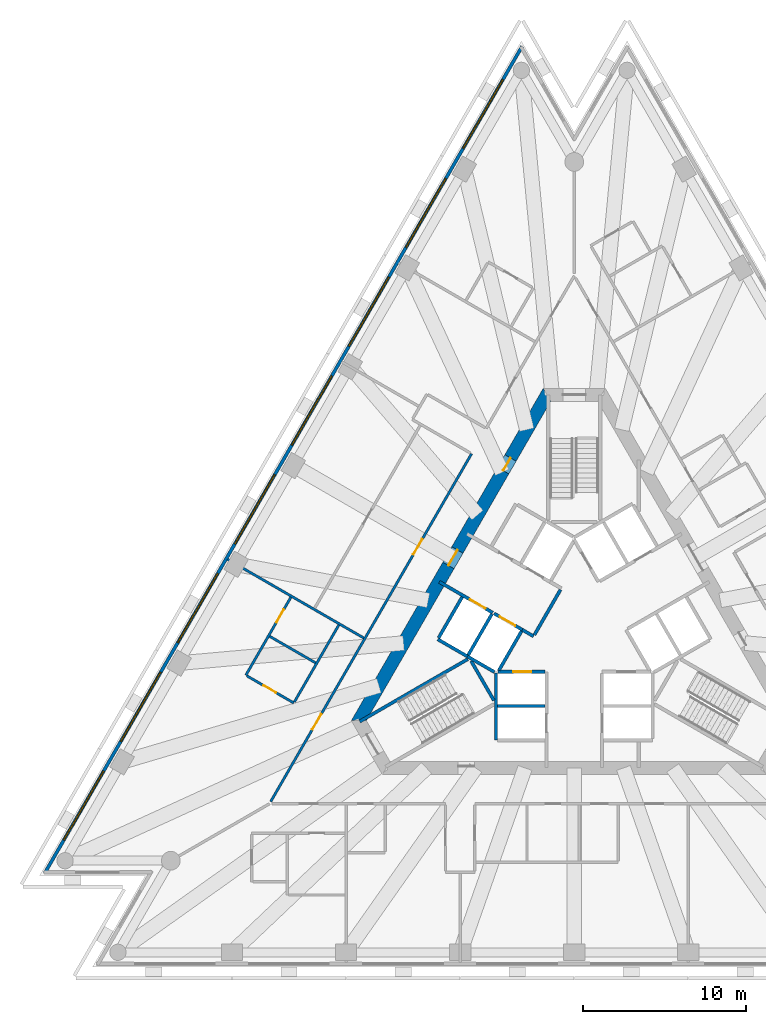
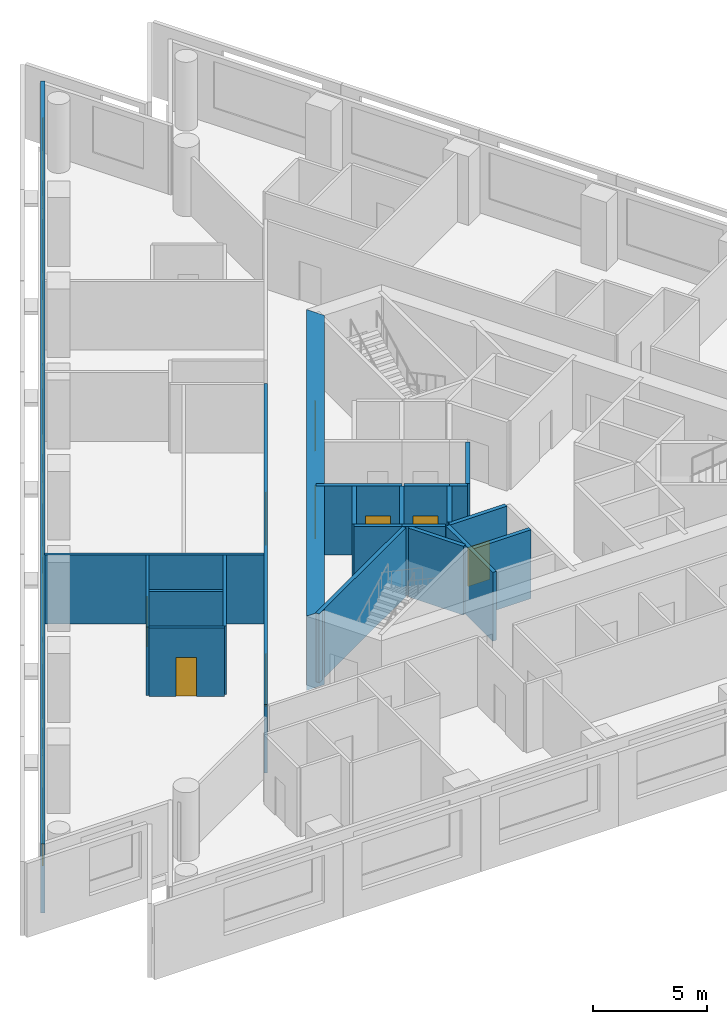
# One storey, part 4 of 10: 22 walls, 9 doors, 8 windows, 17 openings.
"""IFC4 building model written with IfcOpenShell, lengths in metres."""

from ifc_helpers import new_model, si_unit, direction, frame, frame_2d, origin, place, context, subcontext, project, spatial, polyline, rectangle, outline, extrude, material, layer, layer_set, layer_usage, type_object, element, fill, save


model = new_model("IFC4")

# Units and contexts
model_context = context("Model", 3, precision=1e-05, world=origin(), true_north=direction((0.0, 1.0)))
body_context = subcontext(model_context, "Body", "Model", "MODEL_VIEW")
ifc_project = project(units=[si_unit("LENGTHUNIT", "METRE"), si_unit("AREAUNIT", "SQUARE_METRE"), si_unit("VOLUMEUNIT", "CUBIC_METRE"), si_unit("PLANEANGLEUNIT", "RADIAN"), si_unit("MASSUNIT", "GRAM", prefix="KILO")], contexts=[model_context])

# Site, building, storey
site_placement = place(None, origin())
site = spatial("IfcSite", under=ifc_project, at=site_placement, CompositionType="ELEMENT")
building_placement = place(site_placement, origin())
building = spatial("IfcBuilding", under=site, at=building_placement, Name="Triada Interchange Tower", CompositionType="ELEMENT")
storey_placement = place(building_placement, frame((0.0, 0.0, 112.300048828125)))
storey = spatial("IfcBuildingStorey", under=building, at=storey_placement, Name="L25", CompositionType="ELEMENT", Elevation=112.300048828125)

# Walls
ifc_material_1 = material(Name="Concrete C30/37", Category="concrete")
ifc_layer_1 = layer(ifc_material_1, 0.199951171875)
ifc_layer_set_1 = layer_set([ifc_layer_1], Name="CORE WALL 200 EI 120")
wall_type_1 = type_object("IfcWallType", Name="CORE WALL 200 EI 120", PredefinedType="SOLIDWALL", material=ifc_layer_set_1)
wall_1_placement = place(storey_placement, frame((-8.3759765625, -0.70703125, 0.0), z_axis=(0.0, 0.0, 1.0), x_axis=(0.866067520717, -0.499927044236, 0.0)))
element("IfcWall", 1, at=wall_1_placement, inside=storey, type_object=wall_type_1, Name="Wall L23 64", PredefinedType="SOLIDWALL", context=body_context, shape_type="SweptSolid", body=[
    extrude(rectangle(XDim=2.100341796875, YDim=0.199951171875, at=frame_2d((1.05029296875, 0.0))), origin(), (0.0, 0.0, 1.0), 3.699951171875),
])
wall_2_placement = place(storey_placement, frame((-8.325927734375, -0.6201171875, 0.0), z_axis=(0.0, 0.0, 1.0), x_axis=(0.500023687443, 0.866011727401, 0.0)))
element("IfcWall", 2, at=wall_2_placement, inside=storey, type_object=wall_type_1, Name="Wall L23 65", PredefinedType="SOLIDWALL", context=body_context, shape_type="SweptSolid", body=[
    extrude(rectangle(XDim=2.899658203125, YDim=0.199951171875, at=frame_2d((1.44970703125, 0.0))), origin(), (0.0, 0.0, 1.0), 3.699951171875),
])
wall_3_placement = place(storey_placement, frame((-4.699951171875, -4.800048828125, 0.0), z_axis=(0.0, 0.0, 1.0), x_axis=(1.0, 0.0, 0.0)))
element("IfcWall", 3, at=wall_3_placement, inside=storey, type_object=wall_type_1, Name="Wall L23 66", PredefinedType="SOLIDWALL", context=body_context, shape_type="SweptSolid", body=[
    extrude(rectangle(XDim=2.89990234375, YDim=0.199951171875, at=frame_2d((1.449951171875, 0.0))), origin(), (0.0, 0.0, 1.0), 3.699951171875),
])
wall_4_placement = place(storey_placement, frame((-4.800048828125, -6.89990234375, 0.0), z_axis=(0.0, 0.0, 1.0), x_axis=(0.0, 1.0, 0.0)))
element("IfcWall", 4, at=wall_4_placement, inside=storey, type_object=wall_type_1, Name="Wall L23 68", PredefinedType="SOLIDWALL", context=body_context, shape_type="SweptSolid", body=[
    extrude(rectangle(XDim=4.130859375, YDim=0.199951171875, at=frame_2d((2.0654296875, 0.0))), origin(), (0.0, 0.0, 1.0), 3.699951171875),
])

# Wall, opening, door
wall_5_placement = place(storey_placement, frame((-4.676025390625, -2.699951171875, 0.0), z_axis=(0.0, 0.0, 1.0), x_axis=(1.0, 0.0, 0.0)))
wall_5 = element("IfcWall", 5, at=wall_5_placement, inside=storey, type_object=wall_type_1, Name="Wall L23 72", PredefinedType="SOLIDWALL", context=body_context, shape_type="SweptSolid", body=[
    extrude(rectangle(XDim=2.873046875, YDim=0.199951171875, at=frame_2d((1.4365234375, 0.0))), origin(), (0.0, 0.0, 1.0), 3.699951171875),
])
opening_1_placement = place(wall_5_placement, frame((0.93701171875, 0.0, 0.0)))
opening_1 = element("IfcOpeningElement", 6, at=opening_1_placement, cuts=wall_5, Name="Opening LD-LR3", PredefinedType="OPENING", context=body_context, shape_type="SweptSolid", body=[
    extrude(rectangle(XDim=1.10009765625, YDim=2.10009765625, at=frame_2d((0.550048828125, 1.050048828125))), frame((0.0, 0.10986328125, 0.0), z_axis=(0.0, -1.0, 0.0), x_axis=(1.0, 0.0, 0.0)), (0.0, 0.0, 1.0), 0.219970703125),
])
ifc_material_2 = material(Name="Steel S235 door leaf", Category="steel")
door_type_1 = type_object("IfcDoorType", Name="LIFT LANDING DOOR 1100 EI 120", OperationType="SLIDING_TO_LEFT", PredefinedType="DOOR", material=ifc_material_2)
door_1_placement = place(opening_1_placement, origin())
door_1 = element("IfcDoor", 7, at=door_1_placement, inside=storey, type_object=door_type_1, Name="LR3 landing door L25", OperationType="SLIDING_TO_LEFT", OverallHeight=2.10009765625, OverallWidth=1.10009765625, PredefinedType="DOOR", context=body_context, shape_type="SweptSolid", body=[
    extrude(rectangle(XDim=1.10009765625, YDim=2.10009765625, at=frame_2d((0.550048828125, 1.050048828125))), frame((0.0, 0.02490234375, 0.0), z_axis=(0.0, -1.0, 0.0), x_axis=(1.0, 0.0, 0.0)), (0.0, 0.0, 1.0), 0.050048828125),
])
fill(opening_1, door_1)

ifc_layer_2 = layer(ifc_material_1, 0.199951171875)
ifc_layer_set_2 = layer_set([ifc_layer_2], Name="CORE WALL 200 EI 180")
wall_type_2 = type_object("IfcWallType", Name="CORE WALL 200 EI 180", PredefinedType="SOLIDWALL", material=ifc_layer_set_2)
wall_6_placement = place(storey_placement, frame((-8.280029296875, 2.818115234375, 0.0), z_axis=(0.0, 0.0, 1.0), x_axis=(0.86600175068, -0.50004096614, 0.0)))
wall_6 = element("IfcWall", 8, at=wall_6_placement, inside=storey, type_object=wall_type_2, Name="Wall L23 86", PredefinedType="SOLIDWALL", context=body_context, shape_type="SweptSolid", body=[
    extrude(rectangle(XDim=3.781982421875, YDim=0.199951171875, at=frame_2d((1.89111328125, 0.0))), origin(), (0.0, 0.0, 1.0), 3.699951171875),
])
opening_2_placement = place(wall_6_placement, frame((2.179931640625, 0.0, 0.0)))
opening_2 = element("IfcOpeningElement", 9, at=opening_2_placement, cuts=wall_6, Name="Opening LD-SV1", PredefinedType="OPENING", context=body_context, shape_type="SweptSolid", body=[
    extrude(rectangle(XDim=1.10009765625, YDim=2.10009765625, at=frame_2d((0.550048828125, 1.050048828125))), frame((0.0, 0.10986328125, 0.0), z_axis=(0.0, -1.0, 0.0), x_axis=(1.0, 0.0, 0.0)), (0.0, 0.0, 1.0), 0.219970703125),
])
door_2_placement = place(opening_2_placement, origin())
door_2 = element("IfcDoor", 10, at=door_2_placement, inside=storey, type_object=door_type_1, Name="SV1 landing door L25", OperationType="SLIDING_TO_LEFT", OverallHeight=2.10009765625, OverallWidth=1.10009765625, PredefinedType="DOOR", context=body_context, shape_type="SweptSolid", body=[
    extrude(rectangle(XDim=1.10009765625, YDim=2.10009765625, at=frame_2d((0.550048828125, 1.050048828125))), frame((0.0, 0.02490234375, 0.0), z_axis=(0.0, -1.0, 0.0), x_axis=(1.0, 0.0, 0.0)), (0.0, 0.0, 1.0), 0.050048828125),
])
fill(opening_2, door_2)

# Walls
wall_7_placement = place(storey_placement, frame((-3.18798828125, -0.1220703125, 0.0), z_axis=(0.0, 0.0, 1.0), x_axis=(0.865705793592, -0.50055317294, 0.0)))
element("IfcWall", 11, at=wall_7_placement, inside=storey, type_object=wall_type_2, Name="Wall L23 87", PredefinedType="SOLIDWALL", context=body_context, shape_type="SweptSolid", body=[
    extrude(rectangle(XDim=0.796875, YDim=0.199951171875, at=frame_2d((0.3984375, 0.0))), origin(), (0.0, 0.0, 1.0), 3.699951171875),
])
wall_8_placement = place(storey_placement, frame((-2.444091796875, -0.43310546875, 0.0), z_axis=(0.0, 0.0, 1.0), x_axis=(0.500035624827, 0.866004834804, 0.0)))
element("IfcWall", 12, at=wall_8_placement, inside=storey, type_object=wall_type_2, Name="Wall L23 92", PredefinedType="SOLIDWALL", context=body_context, shape_type="SweptSolid", body=[
    extrude(rectangle(XDim=3.194091796875, YDim=0.199951171875, at=frame_2d((1.59716796875, 0.0))), origin(), (0.0, 0.0, 1.0), 3.699951171875),
])
wall_9_placement = place(storey_placement, frame((-6.556884765625, -1.757080078125, 0.0), z_axis=(0.0, 0.0, 1.0), x_axis=(0.8659754619, -0.500086491905, 0.0)))
element("IfcWall", 13, at=wall_9_placement, inside=storey, type_object=wall_type_2, Name="Shaft wall FF1 L23 93", PredefinedType="SOLIDWALL", context=body_context, shape_type="SweptSolid", body=[
    extrude(rectangle(XDim=1.915771484375, YDim=0.199951171875, at=frame_2d((0.9580078125, 0.0))), origin(), (0.0, 0.0, 1.0), 3.699951171875),
])
wall_10_placement = place(storey_placement, frame((-6.507080078125, -1.669921875, 0.0), z_axis=(0.0, 0.0, 1.0), x_axis=(0.50012328804, 0.865954211699, 0.0)))
element("IfcWall", 14, at=wall_10_placement, inside=storey, type_object=wall_type_2, Name="Shaft wall FF1 L23 94", PredefinedType="SOLIDWALL", context=body_context, shape_type="SweptSolid", body=[
    extrude(rectangle(XDim=2.899658203125, YDim=0.199951171875, at=frame_2d((1.44970703125, 0.0))), origin(), (0.0, 0.0, 1.0), 3.699951171875),
])

# Wall, opening, door
wall_11_placement = place(storey_placement, frame((-4.919921875, 0.8779296875, 0.0), z_axis=(0.0, 0.0, 1.0), x_axis=(0.866010750942, -0.50002537861, 0.0)))
wall_11 = element("IfcWall", 15, at=wall_11_placement, inside=storey, type_object=wall_type_2, Name="Shaft wall FF1 L23 95", PredefinedType="SOLIDWALL", context=body_context, shape_type="SweptSolid", body=[
    extrude(rectangle(XDim=2.0, YDim=0.199951171875, at=frame_2d((1.0, 0.0))), origin(), (0.0, 0.0, 1.0), 3.699951171875),
])
opening_3_placement = place(wall_11_placement, frame((0.39990234375, 0.0, 0.0)))
opening_3 = element("IfcOpeningElement", 16, at=opening_3_placement, cuts=wall_11, Name="Opening LD-FF1", PredefinedType="OPENING", context=body_context, shape_type="SweptSolid", body=[
    extrude(rectangle(XDim=1.10009765625, YDim=2.10009765625, at=frame_2d((0.550048828125, 1.050048828125))), frame((0.0, 0.10986328125, 0.0), z_axis=(0.0, -1.0, 0.0), x_axis=(1.0, 0.0, 0.0)), (0.0, 0.0, 1.0), 0.219970703125),
])
door_3_placement = place(opening_3_placement, origin())
door_3 = element("IfcDoor", 17, at=door_3_placement, inside=storey, type_object=door_type_1, Name="FF1 landing door L25", OperationType="SLIDING_TO_LEFT", OverallHeight=2.10009765625, OverallWidth=1.10009765625, PredefinedType="DOOR", context=body_context, shape_type="SweptSolid", body=[
    extrude(rectangle(XDim=1.10009765625, YDim=2.10009765625, at=frame_2d((0.550048828125, 1.050048828125))), frame((0.0, 0.02490234375, 0.0), z_axis=(0.0, -1.0, 0.0), x_axis=(1.0, 0.0, 0.0)), (0.0, 0.0, 1.0), 0.050048828125),
])
fill(opening_3, door_3)

# Walls
wall_12_placement = place(storey_placement, frame((-4.618896484375, -2.60009765625, 0.0), z_axis=(0.0, 0.0, 1.0), x_axis=(0.50009492287, 0.865970593103, 0.0)))
element("IfcWall", 18, at=wall_12_placement, inside=storey, type_object=wall_type_2, Name="Shaft wall FF1 L23 96", PredefinedType="SOLIDWALL", context=body_context, shape_type="SweptSolid", body=[
    extrude(rectangle(XDim=2.76123046875, YDim=0.199951171875, at=frame_2d((1.380615234375, 0.0))), origin(), (0.0, 0.0, 1.0), 3.699951171875),
])
ifc_layer_3 = layer(ifc_material_1, 0.199951171875)
ifc_layer_set_3 = layer_set([ifc_layer_3], Name="CORE WALL 200 REI 240")
wall_type_3 = type_object("IfcWallType", Name="CORE WALL 200 REI 240", PredefinedType="SOLIDWALL", material=ifc_layer_set_3)
wall_13_placement = place(storey_placement, frame((-13.1669921875, -5.75390625, 0.0), z_axis=(0.0, 0.0, 1.0), x_axis=(0.866060938598, 0.499938446846, 0.0)))
element("IfcWall", 19, at=wall_13_placement, inside=storey, type_object=wall_type_3, Name="Wall L23 103", PredefinedType="SOLIDWALL", context=body_context, shape_type="SweptSolid", body=[
    extrude(rectangle(XDim=7.66455078125, YDim=0.199951171875, at=frame_2d((3.832275390625, 0.0))), origin(), (0.0, 0.0, 1.0), 3.699951171875),
])
wall_14_placement = place(storey_placement, frame((-6.3291015625, -2.0380859375, 0.0), z_axis=(0.0, 0.0, 1.0), x_axis=(0.500200581029, -0.865909567298, 0.0)))
element("IfcWall", 20, at=wall_14_placement, inside=storey, type_object=wall_type_3, Name="Wall L23 104", PredefinedType="SOLIDWALL", context=body_context, shape_type="SweptSolid", body=[
    extrude(rectangle(XDim=2.799072265625, YDim=0.199951171875, at=frame_2d((1.3994140625, 0.0))), origin(), (0.0, 0.0, 1.0), 3.699951171875),
])

# Wall, openings, doors
ifc_material_3 = material(Name="Concrete C60/75", Category="concrete")
ifc_layer_4 = layer(ifc_material_3, 0.800048828125)
ifc_layer_set_4 = layer_set([ifc_layer_4], Name="Core wall B 800")
wall_type_4 = type_object("IfcWallType", Name="Core wall B 800", PredefinedType="SHEAR", material=ifc_layer_set_4)
wall_15_placement = place(storey_placement, frame((-1.674072265625, 14.300048828125, -0.300048828125), z_axis=(0.0, 0.0, 1.0), x_axis=(-0.499995765644, -0.866027848477, 0.0)))
wall_15 = element("IfcWall", 21, at=wall_15_placement, inside=storey, type_object=wall_type_4, Name="Core wall WB02 L25", PredefinedType="SHEAR", context=body_context, shape_type="SweptSolid", body=[
    extrude(outline(polyline([(-0.23095703125, -0.39990234375), (1.73193359375, -0.39990234375), (3.695068359375, -0.39990234375), (5.657958984375, -0.39990234375), (7.62109375, -0.39990234375), (9.583984375, -0.39990234375), (11.546875, -0.39990234375), (13.510009765625, -0.39990234375), (15.472900390625, -0.39990234375), (17.43603515625, -0.39990234375), (19.39892578125, -0.39990234375), (21.362060546875, -0.39990234375), (23.324951171875, -0.39990234375), (22.863037109375, 0.39990234375), (20.97705078125, 0.39990234375), (19.091064453125, 0.39990234375), (17.205078125, 0.39990234375), (15.319091796875, 0.39990234375), (13.43310546875, 0.39990234375), (11.546875, 0.39990234375), (9.660888671875, 0.39990234375), (7.77490234375, 0.39990234375), (5.888916015625, 0.39990234375), (4.0029296875, 0.39990234375), (2.116943359375, 0.39990234375), (0.23095703125, 0.39990234375), (-0.23095703125, -0.39990234375)])), origin(), (0.0, 0.0, 1.0), 4.0),
])
opening_4_placement = place(wall_15_placement, frame((10.9970703125, 0.0, 0.300048828125)))
opening_4 = element("IfcOpeningElement", 22, at=opening_4_placement, cuts=wall_15, Name="Opening D23-46", PredefinedType="OPENING", context=body_context, shape_type="SweptSolid", body=[
    extrude(rectangle(XDim=1.10009765625, YDim=2.10009765625, at=frame_2d((0.550048828125, 1.050048828125))), frame((0.0, 0.409912109375, 0.0), z_axis=(0.0, -1.0, 0.0), x_axis=(1.0, 0.0, 0.0)), (0.0, 0.0, 1.0), 0.820068359375),
])
opening_5_placement = place(wall_15_placement, frame((4.47412109375, 0.0, 0.300048828125)))
opening_5 = element("IfcOpeningElement", 23, at=opening_5_placement, cuts=wall_15, Name="Opening D23-48", PredefinedType="OPENING", context=body_context, shape_type="SweptSolid", body=[
    extrude(rectangle(XDim=0.89990234375, YDim=2.10009765625, at=frame_2d((0.449951171875, 1.050048828125))), frame((0.0, 0.409912109375, 0.0), z_axis=(0.0, -1.0, 0.0), x_axis=(1.0, 0.0, 0.0)), (0.0, 0.0, 1.0), 0.820068359375),
])
door_type_2 = type_object("IfcDoorType", Name="FIRE LOBBY DOOR 1100 EI2 90-C5S200", OperationType="NOTDEFINED", PredefinedType="DOOR", material=ifc_material_2)
door_4_placement = place(opening_4_placement, origin())
door_4 = element("IfcDoor", 24, at=door_4_placement, inside=storey, type_object=door_type_2, Name="Door D23-46 L25", OperationType="SINGLE_SWING_LEFT", OverallHeight=2.10009765625, OverallWidth=1.10009765625, PredefinedType="DOOR", context=body_context, shape_type="SweptSolid", body=[
    extrude(rectangle(XDim=1.10009765625, YDim=2.10009765625, at=frame_2d((0.550048828125, 1.050048828125))), frame((0.0, 0.02490234375, 0.0), z_axis=(0.0, -1.0, 0.0), x_axis=(1.0, 0.0, 0.0)), (0.0, 0.0, 1.0), 0.050048828125),
])
fill(opening_4, door_4)
door_type_3 = type_object("IfcDoorType", Name="SERVICE DOOR 900 EI2 45-C5S200", OperationType="NOTDEFINED", PredefinedType="DOOR", material=ifc_material_2)
door_5_placement = place(opening_5_placement, origin())
door_5 = element("IfcDoor", 25, at=door_5_placement, inside=storey, type_object=door_type_3, Name="Door D23-48 L25", OperationType="SINGLE_SWING_RIGHT", OverallHeight=2.10009765625, OverallWidth=0.89990234375, PredefinedType="DOOR", context=body_context, shape_type="SweptSolid", body=[
    extrude(rectangle(XDim=0.89990234375, YDim=2.10009765625, at=frame_2d((0.449951171875, 1.050048828125))), frame((0.0, 0.02490234375, 0.0), z_axis=(0.0, -1.0, 0.0), x_axis=(1.0, 0.0, 0.0)), (0.0, 0.0, 1.0), 0.050048828125),
])
fill(opening_5, door_5)

# Wall, openings, windows
ifc_material_4 = material(Name="Cement board")
ifc_layer_5 = layer(ifc_material_4, 0.02001953125, Name="Cement board cladding")
ifc_material_5 = material(Name="Sheathing board")
ifc_layer_6 = layer(ifc_material_5, 0.014892578125, Name="Sheathing board")
ifc_material_6 = material(Name="Mineral wool")
ifc_layer_7 = layer(ifc_material_6, 0.14990234375, Name="Mineral wool between steel studs")
ifc_material_7 = material(Name="Gypsum board")
ifc_layer_8 = layer(ifc_material_7, 0.014892578125, Name="Plasterboard lining")
ifc_layer_set_5 = layer_set([ifc_layer_5, ifc_layer_6, ifc_layer_7, ifc_layer_8], Name="External wall 200")
ifc_layer_usage = layer_usage(ifc_layer_set_5, "AXIS2", "POSITIVE", -0.10009765625)
wall_type_5 = type_object("IfcWallType", Name="External wall 200", PredefinedType="ELEMENTEDWALL", material=ifc_layer_set_5)
wall_16_placement = place(storey_placement, frame((-3.199951171875, 35.69091796875, 0.0), z_axis=(0.0, 0.0, 1.0), x_axis=(-0.500010127185, -0.866019556773, 0.0)))
wall_16 = element("IfcWall", 26, at=wall_16_placement, inside=storey, type_object=wall_type_5, material=ifc_layer_usage, Name="External wall L25 NW", PredefinedType="ELEMENTEDWALL", context=body_context, shape_type="SweptSolid", body=[
    extrude(rectangle(XDim=58.598876953125, YDim=0.199951171875, at=frame_2d((29.29931640625, 0.0))), origin(), (0.0, 0.0, 1.0), 3.699951171875),
])
opening_6_placement = place(wall_16_placement, frame((2.35302734375, 0.0, 0.89990234375)))
opening_6 = element("IfcOpeningElement", 27, at=opening_6_placement, cuts=wall_16, Name="Opening WB01", PredefinedType="OPENING", context=body_context, shape_type="SweptSolid", body=[
    extrude(rectangle(XDim=4.89990234375, YDim=2.5, at=frame_2d((2.449951171875, 1.25))), frame((0.0, 0.10986328125, 0.0), z_axis=(0.0, -1.0, 0.0), x_axis=(1.0, 0.0, 0.0)), (0.0, 0.0, 1.0), 0.219970703125),
])
opening_7_placement = place(wall_16_placement, frame((9.35498046875, 0.0, 0.89990234375)))
opening_7 = element("IfcOpeningElement", 28, at=opening_7_placement, cuts=wall_16, Name="Opening WB02", PredefinedType="OPENING", context=body_context, shape_type="SweptSolid", body=[
    extrude(rectangle(XDim=4.89990234375, YDim=2.5, at=frame_2d((2.449951171875, 1.25))), frame((0.0, 0.10986328125, 0.0), z_axis=(0.0, -1.0, 0.0), x_axis=(1.0, 0.0, 0.0)), (0.0, 0.0, 1.0), 0.219970703125),
])
opening_8_placement = place(wall_16_placement, frame((16.35693359375, 0.0, 0.89990234375)))
opening_8 = element("IfcOpeningElement", 29, at=opening_8_placement, cuts=wall_16, Name="Opening WB03", PredefinedType="OPENING", context=body_context, shape_type="SweptSolid", body=[
    extrude(rectangle(XDim=4.89990234375, YDim=2.5, at=frame_2d((2.449951171875, 1.25))), frame((0.0, 0.10986328125, 0.0), z_axis=(0.0, -1.0, 0.0), x_axis=(1.0, 0.0, 0.0)), (0.0, 0.0, 1.0), 0.219970703125),
])
opening_9_placement = place(wall_16_placement, frame((23.35791015625, 0.0, 0.89990234375)))
opening_9 = element("IfcOpeningElement", 30, at=opening_9_placement, cuts=wall_16, Name="Opening WB04", PredefinedType="OPENING", context=body_context, shape_type="SweptSolid", body=[
    extrude(rectangle(XDim=4.89990234375, YDim=2.5, at=frame_2d((2.449951171875, 1.25))), frame((0.0, 0.10986328125, 0.0), z_axis=(0.0, -1.0, 0.0), x_axis=(1.0, 0.0, 0.0)), (0.0, 0.0, 1.0), 0.219970703125),
])
opening_10_placement = place(wall_16_placement, frame((30.360107421875, 0.0, 0.89990234375)))
opening_10 = element("IfcOpeningElement", 31, at=opening_10_placement, cuts=wall_16, Name="Opening WB05", PredefinedType="OPENING", context=body_context, shape_type="SweptSolid", body=[
    extrude(rectangle(XDim=4.89990234375, YDim=2.5, at=frame_2d((2.449951171875, 1.25))), frame((0.0, 0.10986328125, 0.0), z_axis=(0.0, -1.0, 0.0), x_axis=(1.0, 0.0, 0.0)), (0.0, 0.0, 1.0), 0.219970703125),
])
opening_11_placement = place(wall_16_placement, frame((37.362060546875, 0.0, 0.89990234375)))
opening_11 = element("IfcOpeningElement", 32, at=opening_11_placement, cuts=wall_16, Name="Opening WB06", PredefinedType="OPENING", context=body_context, shape_type="SweptSolid", body=[
    extrude(rectangle(XDim=4.89990234375, YDim=2.5, at=frame_2d((2.449951171875, 1.25))), frame((0.0, 0.10986328125, 0.0), z_axis=(0.0, -1.0, 0.0), x_axis=(1.0, 0.0, 0.0)), (0.0, 0.0, 1.0), 0.219970703125),
])
opening_12_placement = place(wall_16_placement, frame((44.363037109375, 0.0, 0.89990234375)))
opening_12 = element("IfcOpeningElement", 33, at=opening_12_placement, cuts=wall_16, Name="Opening WB07", PredefinedType="OPENING", context=body_context, shape_type="SweptSolid", body=[
    extrude(rectangle(XDim=4.89990234375, YDim=2.5, at=frame_2d((2.449951171875, 1.25))), frame((0.0, 0.10986328125, 0.0), z_axis=(0.0, -1.0, 0.0), x_axis=(1.0, 0.0, 0.0)), (0.0, 0.0, 1.0), 0.219970703125),
])
opening_13_placement = place(wall_16_placement, frame((51.364990234375, 0.0, 0.89990234375)))
opening_13 = element("IfcOpeningElement", 34, at=opening_13_placement, cuts=wall_16, Name="Opening WB08", PredefinedType="OPENING", context=body_context, shape_type="SweptSolid", body=[
    extrude(rectangle(XDim=4.89990234375, YDim=2.5, at=frame_2d((2.449951171875, 1.25))), frame((0.0, 0.10986328125, 0.0), z_axis=(0.0, -1.0, 0.0), x_axis=(1.0, 0.0, 0.0)), (0.0, 0.0, 1.0), 0.219970703125),
])
ifc_material_8 = material(Name="Double glazed aluminium window", Category="aluminium")
window_type = type_object("IfcWindowType", Name="Ribbon window B face", PartitioningType="SINGLE_PANEL", PredefinedType="WINDOW", material=ifc_material_8)
window_1_placement = place(opening_6_placement, origin())
window_1 = element("IfcWindow", 35, at=window_1_placement, inside=storey, type_object=window_type, Name="Window L25 NW 1", OverallHeight=2.5, OverallWidth=4.89990234375, PartitioningType="SINGLE_PANEL", PredefinedType="WINDOW", context=body_context, shape_type="SweptSolid", body=[
    extrude(rectangle(XDim=4.89990234375, YDim=2.5, at=frame_2d((2.449951171875, 1.25))), frame((0.0, 0.030029296875, 0.0), z_axis=(0.0, -1.0, 0.0), x_axis=(1.0, 0.0, 0.0)), (0.0, 0.0, 1.0), 0.06005859375),
])
fill(opening_6, window_1)
window_2_placement = place(opening_7_placement, origin())
window_2 = element("IfcWindow", 36, at=window_2_placement, inside=storey, type_object=window_type, Name="Window L25 NW 2", OverallHeight=2.5, OverallWidth=4.89990234375, PartitioningType="SINGLE_PANEL", PredefinedType="WINDOW", context=body_context, shape_type="SweptSolid", body=[
    extrude(rectangle(XDim=4.89990234375, YDim=2.5, at=frame_2d((2.449951171875, 1.25))), frame((0.0, 0.030029296875, 0.0), z_axis=(0.0, -1.0, 0.0), x_axis=(1.0, 0.0, 0.0)), (0.0, 0.0, 1.0), 0.06005859375),
])
fill(opening_7, window_2)
window_3_placement = place(opening_8_placement, origin())
window_3 = element("IfcWindow", 37, at=window_3_placement, inside=storey, type_object=window_type, Name="Window L25 NW 3", OverallHeight=2.5, OverallWidth=4.89990234375, PartitioningType="SINGLE_PANEL", PredefinedType="WINDOW", context=body_context, shape_type="SweptSolid", body=[
    extrude(rectangle(XDim=4.89990234375, YDim=2.5, at=frame_2d((2.449951171875, 1.25))), frame((0.0, 0.030029296875, 0.0), z_axis=(0.0, -1.0, 0.0), x_axis=(1.0, 0.0, 0.0)), (0.0, 0.0, 1.0), 0.06005859375),
])
fill(opening_8, window_3)
window_4_placement = place(opening_9_placement, origin())
window_4 = element("IfcWindow", 38, at=window_4_placement, inside=storey, type_object=window_type, Name="Window L25 NW 4", OverallHeight=2.5, OverallWidth=4.89990234375, PartitioningType="SINGLE_PANEL", PredefinedType="WINDOW", context=body_context, shape_type="SweptSolid", body=[
    extrude(rectangle(XDim=4.89990234375, YDim=2.5, at=frame_2d((2.449951171875, 1.25))), frame((0.0, 0.030029296875, 0.0), z_axis=(0.0, -1.0, 0.0), x_axis=(1.0, 0.0, 0.0)), (0.0, 0.0, 1.0), 0.06005859375),
])
fill(opening_9, window_4)
window_5_placement = place(opening_10_placement, origin())
window_5 = element("IfcWindow", 39, at=window_5_placement, inside=storey, type_object=window_type, Name="Window L25 NW 5", OverallHeight=2.5, OverallWidth=4.89990234375, PartitioningType="SINGLE_PANEL", PredefinedType="WINDOW", context=body_context, shape_type="SweptSolid", body=[
    extrude(rectangle(XDim=4.89990234375, YDim=2.5, at=frame_2d((2.449951171875, 1.25))), frame((0.0, 0.030029296875, 0.0), z_axis=(0.0, -1.0, 0.0), x_axis=(1.0, 0.0, 0.0)), (0.0, 0.0, 1.0), 0.06005859375),
])
fill(opening_10, window_5)
window_6_placement = place(opening_11_placement, origin())
window_6 = element("IfcWindow", 40, at=window_6_placement, inside=storey, type_object=window_type, Name="Window L25 NW 6", OverallHeight=2.5, OverallWidth=4.89990234375, PartitioningType="SINGLE_PANEL", PredefinedType="WINDOW", context=body_context, shape_type="SweptSolid", body=[
    extrude(rectangle(XDim=4.89990234375, YDim=2.5, at=frame_2d((2.449951171875, 1.25))), frame((0.0, 0.030029296875, 0.0), z_axis=(0.0, -1.0, 0.0), x_axis=(1.0, 0.0, 0.0)), (0.0, 0.0, 1.0), 0.06005859375),
])
fill(opening_11, window_6)
window_7_placement = place(opening_12_placement, origin())
window_7 = element("IfcWindow", 41, at=window_7_placement, inside=storey, type_object=window_type, Name="Window L25 NW 7", OverallHeight=2.5, OverallWidth=4.89990234375, PartitioningType="SINGLE_PANEL", PredefinedType="WINDOW", context=body_context, shape_type="SweptSolid", body=[
    extrude(rectangle(XDim=4.89990234375, YDim=2.5, at=frame_2d((2.449951171875, 1.25))), frame((0.0, 0.030029296875, 0.0), z_axis=(0.0, -1.0, 0.0), x_axis=(1.0, 0.0, 0.0)), (0.0, 0.0, 1.0), 0.06005859375),
])
fill(opening_12, window_7)
window_8_placement = place(opening_13_placement, origin())
window_8 = element("IfcWindow", 42, at=window_8_placement, inside=storey, type_object=window_type, Name="Window L25 NW 8", OverallHeight=2.5, OverallWidth=4.89990234375, PartitioningType="SINGLE_PANEL", PredefinedType="WINDOW", context=body_context, shape_type="SweptSolid", body=[
    extrude(rectangle(XDim=4.89990234375, YDim=2.5, at=frame_2d((2.449951171875, 1.25))), frame((0.0, 0.030029296875, 0.0), z_axis=(0.0, -1.0, 0.0), x_axis=(1.0, 0.0, 0.0)), (0.0, 0.0, 1.0), 0.06005859375),
])
fill(opening_13, window_8)

# Wall
ifc_material_9 = material(Name="Gypsum board partition")
ifc_layer_9 = layer(ifc_material_9, 0.14990234375)
ifc_layer_set_6 = layer_set([ifc_layer_9], Name="PARTITION 150 EI 180")
wall_type_6 = type_object("IfcWallType", Name="PARTITION 150 EI 180", PredefinedType="PARTITIONING", material=ifc_layer_set_6)
wall_17_placement = place(storey_placement, frame((-21.285888671875, 4.205078125, 0.0), z_axis=(0.0, 0.0, 1.0), x_axis=(0.866007579589, -0.500030871142, 0.0)))
element("IfcWall", 43, at=wall_17_placement, inside=storey, type_object=wall_type_6, Name="Wall L23 3", PredefinedType="PARTITIONING", context=body_context, shape_type="SweptSolid", body=[
    extrude(rectangle(XDim=9.66162109375, YDim=0.14990234375, at=frame_2d((4.830810546875, 0.0))), origin(), (0.0, 0.0, 1.0), 3.699951171875),
])

# Wall, openings, doors
wall_18_placement = place(storey_placement, frame((-18.631103515625, -10.6689453125, 0.0), z_axis=(0.0, 0.0, 1.0), x_axis=(0.500015596868, 0.866016398741, 0.0)))
wall_18 = element("IfcWall", 44, at=wall_18_placement, inside=storey, type_object=wall_type_6, Name="Wall L23 6", PredefinedType="PARTITIONING", context=body_context, shape_type="SweptSolid", body=[
    extrude(rectangle(XDim=24.655517578125, YDim=0.14990234375, at=frame_2d((12.32763671875, 0.0))), origin(), (0.0, 0.0, 1.0), 3.699951171875),
])
opening_14_placement = place(wall_18_placement, frame((17.507080078125, 0.0, 0.0)))
opening_14 = element("IfcOpeningElement", 45, at=opening_14_placement, cuts=wall_18, Name="Opening D23-37", PredefinedType="OPENING", context=body_context, shape_type="SweptSolid", body=[
    extrude(rectangle(XDim=1.10009765625, YDim=2.10009765625, at=frame_2d((0.550048828125, 1.050048828125))), frame((0.0, 0.0849609375, 0.0), z_axis=(0.0, -1.0, 0.0), x_axis=(1.0, 0.0, 0.0)), (0.0, 0.0, 1.0), 0.169921875),
])
opening_15_placement = place(wall_18_placement, frame((5.10400390625, 0.0, 0.0)))
opening_15 = element("IfcOpeningElement", 46, at=opening_15_placement, cuts=wall_18, Name="Opening D23-39", PredefinedType="OPENING", context=body_context, shape_type="SweptSolid", body=[
    extrude(rectangle(XDim=1.10009765625, YDim=2.10009765625, at=frame_2d((0.550048828125, 1.050048828125))), frame((0.0, 0.0849609375, 0.0), z_axis=(0.0, -1.0, 0.0), x_axis=(1.0, 0.0, 0.0)), (0.0, 0.0, 1.0), 0.169921875),
])
door_type_4 = type_object("IfcDoorType", Name="TENANCY ENTRANCE DOOR 1100 EI2 90-C5S200", OperationType="NOTDEFINED", PredefinedType="DOOR", material=ifc_material_2)
door_6_placement = place(opening_14_placement, origin())
door_6 = element("IfcDoor", 47, at=door_6_placement, inside=storey, type_object=door_type_4, Name="Door D23-37 L25", OperationType="SINGLE_SWING_RIGHT", OverallHeight=2.10009765625, OverallWidth=1.10009765625, PredefinedType="DOOR", context=body_context, shape_type="SweptSolid", body=[
    extrude(rectangle(XDim=1.10009765625, YDim=2.10009765625, at=frame_2d((0.550048828125, 1.050048828125))), frame((0.0, 0.02490234375, 0.0), z_axis=(0.0, -1.0, 0.0), x_axis=(1.0, 0.0, 0.0)), (0.0, 0.0, 1.0), 0.050048828125),
])
fill(opening_14, door_6)
door_7_placement = place(opening_15_placement, origin())
door_7 = element("IfcDoor", 48, at=door_7_placement, inside=storey, type_object=door_type_4, Name="Door D23-39 L25", OperationType="SINGLE_SWING_LEFT", OverallHeight=2.10009765625, OverallWidth=1.10009765625, PredefinedType="DOOR", context=body_context, shape_type="SweptSolid", body=[
    extrude(rectangle(XDim=1.10009765625, YDim=2.10009765625, at=frame_2d((0.550048828125, 1.050048828125))), frame((0.0, 0.02490234375, 0.0), z_axis=(0.0, -1.0, 0.0), x_axis=(1.0, 0.0, 0.0)), (0.0, 0.0, 1.0), 0.050048828125),
])
fill(opening_15, door_7)

# Wall, opening, door
ifc_layer_10 = layer(ifc_material_9, 0.14990234375)
ifc_layer_set_7 = layer_set([ifc_layer_10], Name="PARTITION 150 EI 90")
wall_type_7 = type_object("IfcWallType", Name="PARTITION 150 EI 90", PredefinedType="PARTITIONING", material=ifc_layer_set_7)
wall_19_placement = place(storey_placement, frame((-20.156982421875, -2.9130859375, 0.0), z_axis=(0.0, 0.0, 1.0), x_axis=(0.499898410332, 0.866084048662, 0.0)))
wall_19 = element("IfcWall", 49, at=wall_19_placement, inside=storey, type_object=wall_type_7, Name="Wall L23 42", PredefinedType="PARTITIONING", context=body_context, shape_type="SweptSolid", body=[
    extrude(rectangle(XDim=5.525146484375, YDim=0.14990234375, at=frame_2d((2.7626953125, 0.0))), origin(), (0.0, 0.0, 1.0), 3.699951171875),
])
opening_16_placement = place(wall_19_placement, frame((3.75, 0.0, 0.0)))
opening_16 = element("IfcOpeningElement", 50, at=opening_16_placement, cuts=wall_19, Name="Opening D23-40", PredefinedType="OPENING", context=body_context, shape_type="SweptSolid", body=[
    extrude(rectangle(XDim=0.89990234375, YDim=2.10009765625, at=frame_2d((0.449951171875, 1.050048828125))), frame((0.0, 0.0849609375, 0.0), z_axis=(0.0, -1.0, 0.0), x_axis=(1.0, 0.0, 0.0)), (0.0, 0.0, 1.0), 0.169921875),
])
door_type_5 = type_object("IfcDoorType", Name="ROOM DOOR 900 EI2 45-C5S200", OperationType="NOTDEFINED", PredefinedType="DOOR", material=ifc_material_2)
door_8_placement = place(opening_16_placement, origin())
door_8 = element("IfcDoor", 51, at=door_8_placement, inside=storey, type_object=door_type_5, Name="Door D23-40 L25", OperationType="SINGLE_SWING_LEFT", OverallHeight=2.10009765625, OverallWidth=0.89990234375, PredefinedType="DOOR", context=body_context, shape_type="SweptSolid", body=[
    extrude(rectangle(XDim=0.89990234375, YDim=2.10009765625, at=frame_2d((0.449951171875, 1.050048828125))), frame((0.0, 0.02490234375, 0.0), z_axis=(0.0, -1.0, 0.0), x_axis=(1.0, 0.0, 0.0)), (0.0, 0.0, 1.0), 0.050048828125),
])
fill(opening_16, door_8)

wall_20_placement = place(storey_placement, frame((-20.092041015625, -2.950927734375, 0.0), z_axis=(0.0, 0.0, 1.0), x_axis=(0.866047399325, -0.49996190067, 0.0)))
wall_20 = element("IfcWall", 52, at=wall_20_placement, inside=storey, type_object=wall_type_7, Name="Wall L23 43", PredefinedType="PARTITIONING", context=body_context, shape_type="SweptSolid", body=[
    extrude(rectangle(XDim=3.324462890625, YDim=0.14990234375, at=frame_2d((1.662109375, 0.0))), origin(), (0.0, 0.0, 1.0), 3.699951171875),
])
opening_17_placement = place(wall_20_placement, frame((1.175048828125, 0.0, 0.0)))
opening_17 = element("IfcOpeningElement", 53, at=opening_17_placement, cuts=wall_20, Name="Opening D23-41", PredefinedType="OPENING", context=body_context, shape_type="SweptSolid", body=[
    extrude(rectangle(XDim=0.89990234375, YDim=2.10009765625, at=frame_2d((0.449951171875, 1.050048828125))), frame((0.0, 0.0849609375, 0.0), z_axis=(0.0, -1.0, 0.0), x_axis=(1.0, 0.0, 0.0)), (0.0, 0.0, 1.0), 0.169921875),
])
door_9_placement = place(opening_17_placement, origin())
door_9 = element("IfcDoor", 54, at=door_9_placement, inside=storey, type_object=door_type_5, Name="Door D23-41 L25", OperationType="SINGLE_SWING_RIGHT", OverallHeight=2.10009765625, OverallWidth=0.89990234375, PredefinedType="DOOR", context=body_context, shape_type="SweptSolid", body=[
    extrude(rectangle(XDim=0.89990234375, YDim=2.10009765625, at=frame_2d((0.449951171875, 1.050048828125))), frame((0.0, 0.02490234375, 0.0), z_axis=(0.0, -1.0, 0.0), x_axis=(1.0, 0.0, 0.0)), (0.0, 0.0, 1.0), 0.050048828125),
])
fill(opening_17, door_9)

# Walls
wall_21_placement = place(storey_placement, frame((-17.175048828125, -4.548095703125, 0.0), z_axis=(0.0, 0.0, 1.0), x_axis=(0.499983534837, 0.866034909742, 0.0)))
element("IfcWall", 55, at=wall_21_placement, inside=storey, type_object=wall_type_7, Name="Wall L23 44", PredefinedType="PARTITIONING", context=body_context, shape_type="SweptSolid", body=[
    extrude(rectangle(XDim=5.450439453125, YDim=0.14990234375, at=frame_2d((2.72509765625, 0.0))), origin(), (0.0, 0.0, 1.0), 3.699951171875),
])
wall_22_placement = place(storey_placement, frame((-18.69189453125, -0.52587890625, 0.0), z_axis=(0.0, 0.0, 1.0), x_axis=(0.865977875238, -0.500082312822, 0.0)))
element("IfcWall", 56, at=wall_22_placement, inside=storey, type_object=wall_type_7, Name="Wall L23 46", PredefinedType="PARTITIONING", context=body_context, shape_type="SweptSolid", body=[
    extrude(rectangle(XDim=3.24951171875, YDim=0.14990234375, at=frame_2d((1.624755859375, 0.0))), origin(), (0.0, 0.0, 1.0), 3.699951171875),
])

save(model, "model.ifc")
